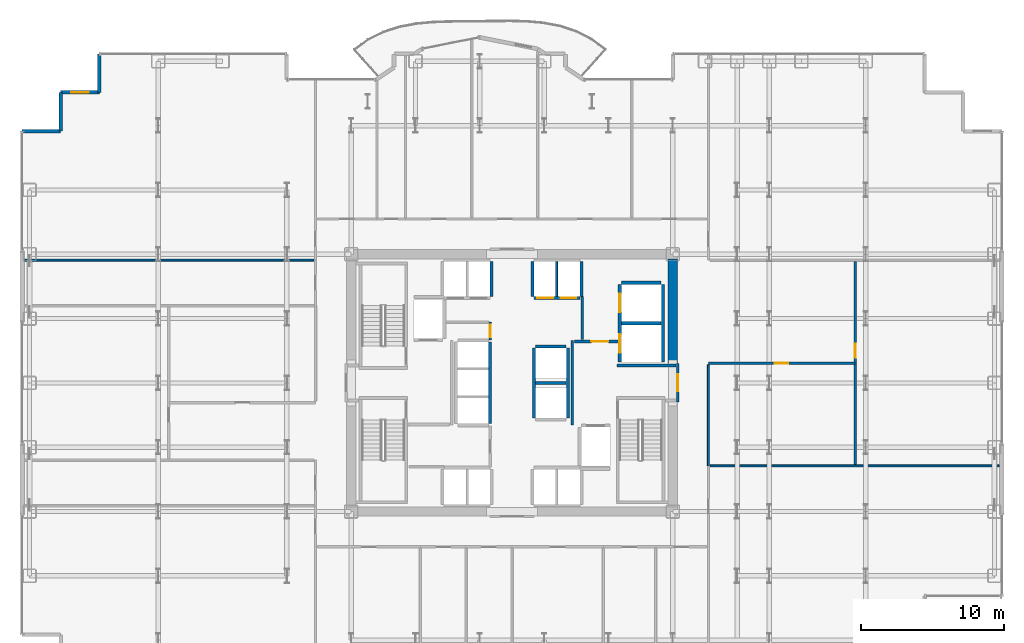
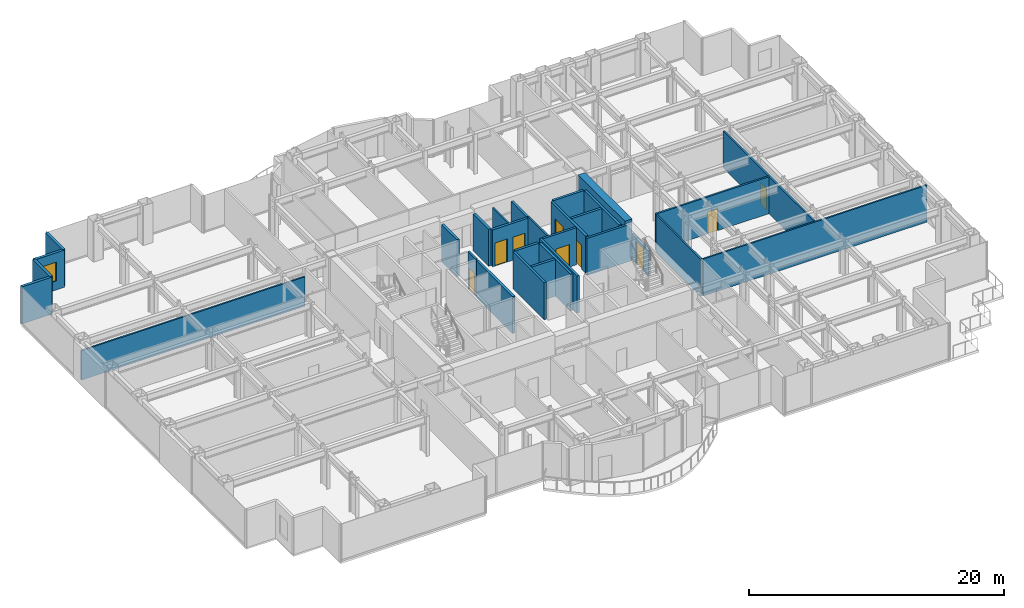
# One storey, part 25 of 29: 30 walls, 9 doors, 1 window, 10 openings.
"""IFC4 building model written with IfcOpenShell, lengths in metres."""

import ifcopenshell
import ifcopenshell.guid

model = None  # the IFC model being written
_history = None  # IfcOwnerHistory: only IFC2X3 demands one
_inside = {}  # id of a spatial element -> (the spatial element, [elements in it])
_under = {}  # id of a project, library or spatial element -> (it, [spatial elements below it])
_declared = {}  # id of a project -> (the project, [libraries it declares])
_typed = {}  # id of a type object -> (the type object, [elements of that type])
_made_of = {}  # id of a material, layer set ... -> (it, [elements and type objects made of it])


def new_model(schema):
    """Start an empty IFC model of exactly this schema.

    Asked for "IFC4X3", IfcOpenShell would pick the latest addendum, in which some entities
    have other attributes; the version numbers below select the first issue.
    IFC2X3 requires an IfcOwnerHistory on every rooted entity: one is made here for all.
    """
    global model, _history
    if schema == "IFC4X3":
        model = ifcopenshell.file(schema_version=(4, 3, 0, 0))
    else:
        model = ifcopenshell.file(schema=schema)
    _inside.clear()
    _under.clear()
    _declared.clear()
    _typed.clear()
    _made_of.clear()
    _history = None
    if model.schema == "IFC2X3":
        org = make("IfcOrganization", Name="unknown")
        user = make(
            "IfcPersonAndOrganization",
            ThePerson=make("IfcPerson", FamilyName="unknown"),
            TheOrganization=org,
        )
        app = make(
            "IfcApplication",
            ApplicationDeveloper=org,
            Version="unknown",
            ApplicationFullName="unknown",
            ApplicationIdentifier="unknown",
        )
        _history = make(
            "IfcOwnerHistory",
            OwningUser=user,
            OwningApplication=app,
            ChangeAction="ADDED",
            CreationDate=0,
        )
    return model


def make(cls, **values):
    """One entity of the class cls with the attributes given. An attribute that is None is left unset."""
    return model.create_entity(
        cls, **{name: value for name, value in values.items() if value is not None}
    )


def rooted(cls, **values):
    """An entity with a GlobalId (a new one), such as an element, a storey or a relation."""
    return make(cls, GlobalId=ifcopenshell.guid.new(), OwnerHistory=_history, **values)


def si_unit(unit_type, name, prefix=None):
    """IfcSIUnit, for example si_unit("LENGTHUNIT", "METRE", prefix="MILLI")."""
    return make("IfcSIUnit", UnitType=unit_type, Prefix=prefix, Name=name)


def assignment(units):
    """IfcUnitAssignment: the units of a project."""
    return None if units is None else make("IfcUnitAssignment", Units=units)


def point(xyz):
    """IfcCartesianPoint."""
    return None if xyz is None else make("IfcCartesianPoint", Coordinates=xyz)


def direction(xyz):
    """IfcDirection."""
    return None if xyz is None else make("IfcDirection", DirectionRatios=xyz)


def frame(location, z_axis=None, x_axis=None):
    """IfcAxis2Placement3D, a coordinate frame: its origin and axes. An axis left out is left unset."""
    return make(
        "IfcAxis2Placement3D",
        Location=point(location),
        Axis=direction(z_axis),
        RefDirection=direction(x_axis),
    )


def frame_2d(location, x_axis=None):
    """IfcAxis2Placement2D, a coordinate frame in the plane: its origin and x axis."""
    return make(
        "IfcAxis2Placement2D", Location=point(location), RefDirection=direction(x_axis)
    )


def origin():
    """The frame at (0, 0, 0) with its axes left unset."""
    return frame((0.0, 0.0, 0.0))


def place(relative_to, where):
    """IfcLocalPlacement: puts the frame where relative to a parent placement (None: the world)."""
    return make(
        "IfcLocalPlacement", PlacementRelTo=relative_to, RelativePlacement=where
    )


def context(
    kind, dimensions, precision=None, world=None, true_north=None, identifier=None
):
    """IfcGeometricRepresentationContext, for example the 3D "Model" context."""
    return make(
        "IfcGeometricRepresentationContext",
        ContextIdentifier=identifier,
        ContextType=kind,
        CoordinateSpaceDimension=dimensions,
        Precision=precision,
        WorldCoordinateSystem=world,
        TrueNorth=true_north,
    )


def subcontext(parent, identifier, kind, view, scale=None):
    """IfcGeometricRepresentationSubContext, for example "Body" below "Model"."""
    return make(
        "IfcGeometricRepresentationSubContext",
        ContextIdentifier=identifier,
        ContextType=kind,
        ParentContext=parent,
        TargetScale=scale,
        TargetView=view,
    )


def project(units=None, contexts=None):
    """IfcProject with its units and contexts."""
    return rooted(
        "IfcProject",
        Name="project",
        RepresentationContexts=contexts,
        UnitsInContext=assignment(units),
    )


def spatial(cls, under=None, at=None, **own):
    """A site, building, storey or space (cls), placed at a placement, below another one or the project."""
    s = rooted(cls, ObjectPlacement=at, **own)
    if under is not None:
        _under.setdefault(under.id(), (under, []))[1].append(s)
    return s


def profile(cls, at=None, kind="AREA", **sizes):
    """A parametric profile (cls). Its sizes go by their IFC names, for example OverallWidth=200.0."""
    return make(cls, ProfileType=kind, Position=at, **sizes)


def rectangle(**sizes):
    """IfcRectangleProfileDef."""
    return profile("IfcRectangleProfileDef", **sizes)


def extrude(swept, where, along, depth):
    """IfcExtrudedAreaSolid: the profile swept, set in the frame where, extruded along a direction by depth."""
    return make(
        "IfcExtrudedAreaSolid",
        SweptArea=swept,
        Position=where,
        ExtrudedDirection=direction(along),
        Depth=depth,
    )


def shape(context_of_items, identifier, shape_type, items):
    """IfcShapeRepresentation: the items that make up one representation, for example the "Body"."""
    return make(
        "IfcShapeRepresentation",
        ContextOfItems=context_of_items,
        RepresentationIdentifier=identifier,
        RepresentationType=shape_type,
        Items=items,
    )


def source(mapping_origin, context_of_items, identifier, shape_type, items):
    """IfcRepresentationMap: a shape defined once, which mapped items show again and again."""
    return make(
        "IfcRepresentationMap",
        MappingOrigin=mapping_origin,
        MappedRepresentation=shape(context_of_items, identifier, shape_type, items),
    )


def transform(
    local_origin,
    x_axis=None,
    y_axis=None,
    z_axis=None,
    scale=None,
    scale2=None,
    scale3=None,
    uniform=True,
):
    """IfcCartesianTransformationOperator3D, or its non-uniform kind. x_axis, y_axis, z_axis: its Axis1, 2, 3."""
    if uniform:
        return make(
            "IfcCartesianTransformationOperator3D",
            Axis1=direction(x_axis),
            Axis2=direction(y_axis),
            LocalOrigin=point(local_origin),
            Scale=scale,
            Axis3=direction(z_axis),
        )
    return make(
        "IfcCartesianTransformationOperator3DnonUniform",
        Axis1=direction(x_axis),
        Axis2=direction(y_axis),
        LocalOrigin=point(local_origin),
        Scale=scale,
        Axis3=direction(z_axis),
        Scale2=scale2,
        Scale3=scale3,
    )


def mapped(mapping_source, mapping_target):
    """IfcMappedItem: shows the shape of a source again, moved by a transform."""
    return make(
        "IfcMappedItem", MappingSource=mapping_source, MappingTarget=mapping_target
    )


def material(Name=None, Category=None):
    """IfcMaterial."""
    return make("IfcMaterial", Name=Name, Category=Category)


def layer(
    of_material, thickness, ventilated=None, Name=None, Category=None, Priority=None
):
    """IfcMaterialLayer: one layer of a wall or slab, of a material (None: an air gap)."""
    return make(
        "IfcMaterialLayer",
        Material=of_material,
        LayerThickness=thickness,
        IsVentilated=ventilated,
        Name=Name,
        Category=Category,
        Priority=Priority,
    )


def layer_set(layers, Name=None):
    """IfcMaterialLayerSet."""
    return make("IfcMaterialLayerSet", MaterialLayers=layers, LayerSetName=Name)


def made_of(thing, what):
    """Note that an element or type object is made of a material, layer set ...; save() writes the relation."""
    if what is not None:
        _made_of.setdefault(what.id(), (what, []))[1].append(thing)
    return thing


def type_object(cls, material=None, **own):
    """A type object (cls), such as IfcWallType, which elements share."""
    return made_of(rooted(cls, **own), material)


def element(
    cls,
    number,
    at=None,
    inside=None,
    cuts=None,
    type_object=None,
    material=None,
    context=None,
    identifier="Body",
    shape_type=None,
    held_by="IfcProductDefinitionShape",
    body=None,
    shapes=None,
    **own,
):
    """One element of the class cls, such as IfcWall. Its Tag is "e" and its number.

    at: its placement. inside: the storey or other place that contains it. cuts: it is an
    opening in that element (IfcRelVoidsElement). A single representation is given by context,
    identifier, shape_type and body (its items); several are given by shapes. held_by: the class
    of the entity that holds the representations. save() writes the other relations.
    """
    e = rooted(cls, Tag="e%d" % number, ObjectPlacement=at, **own)
    if body is not None:
        shapes = [shape(context, identifier, shape_type, body)]
    if shapes is not None:
        e.Representation = make(held_by, Representations=shapes)
    if inside is not None:
        _inside.setdefault(inside.id(), (inside, []))[1].append(e)
    if cuts is not None:
        rooted(
            "IfcRelVoidsElement", RelatingBuildingElement=cuts, RelatedOpeningElement=e
        )
    if type_object is not None:
        _typed.setdefault(type_object.id(), (type_object, []))[1].append(e)
    return made_of(e, material)


def fill(opening, filler):
    """IfcRelFillsElement: the door or window that sits in an opening."""
    return rooted(
        "IfcRelFillsElement",
        RelatingOpeningElement=opening,
        RelatedBuildingElement=filler,
    )


def aggregate(whole, parts):
    """IfcRelAggregates: a whole, such as a stair, and the parts it consists of."""
    return rooted("IfcRelAggregates", RelatingObject=whole, RelatedObjects=parts)


def save(model, path):
    """Write the relations noted so far, then the file.

    IfcRelAggregates (storeys below a building ...), IfcRelContainedInSpatialStructure (elements
    in a storey), IfcRelDefinesByType, IfcRelAssociatesMaterial and IfcRelDeclares: one each for
    every whole, place, type object, material and project.
    """
    for whole, parts in _under.values():
        aggregate(whole, parts)
    for where, things in _inside.values():
        rooted(
            "IfcRelContainedInSpatialStructure",
            RelatedElements=things,
            RelatingStructure=where,
        )
    for kind, things in _typed.values():
        rooted("IfcRelDefinesByType", RelatedObjects=things, RelatingType=kind)
    for what, things in _made_of.values():
        rooted("IfcRelAssociatesMaterial", RelatedObjects=things, RelatingMaterial=what)
    for by, libraries in _declared.values():
        rooted("IfcRelDeclares", RelatingContext=by, RelatedDefinitions=libraries)
    model.write(path)


model = new_model("IFC4")

# Units and contexts
model_context = context("Model", 3, precision=1e-05, world=origin(), true_north=direction((0.0, 1.0)))
body_context = subcontext(model_context, "Body", "Model", "MODEL_VIEW")
ifc_project = project(units=[si_unit("LENGTHUNIT", "METRE"), si_unit("AREAUNIT", "SQUARE_METRE"), si_unit("VOLUMEUNIT", "CUBIC_METRE"), si_unit("PLANEANGLEUNIT", "RADIAN"), si_unit("MASSUNIT", "GRAM", prefix="KILO")], contexts=[model_context])

# Site, building, storey
site_placement = place(None, origin())
site = spatial("IfcSite", under=ifc_project, at=site_placement, CompositionType="ELEMENT")
building_placement = place(site_placement, origin())
building = spatial("IfcBuilding", under=site, at=building_placement, Name="Nefas-Gora Pilgrimage Tower", CompositionType="ELEMENT")
storey_placement = place(building_placement, frame((0.0, 0.0, 67.199951171875)))
storey = spatial("IfcBuildingStorey", under=building, at=storey_placement, Name="L15", CompositionType="ELEMENT", Elevation=67.199951171875)

# Walls
ifc_material_1 = material(Name="Concrete C60/75", Category="concrete")
ifc_layer_1 = layer(ifc_material_1, 0.64990234375)
ifc_layer_set_1 = layer_set([ifc_layer_1], Name="Concrete C60/75")
wall_type_1 = type_object("IfcWallType", Name="SW-CORE-650", PredefinedType="SHEAR", material=ifc_layer_set_1)
shared_shape_1 = source(origin(), body_context, "Body", "SweptSolid", [
    extrude(rectangle(XDim=7.324951171875, YDim=0.64990234375, at=frame_2d((3.66259765625, 0.0))), origin(), (0.0, 0.0, 1.0), 3.800048828125),
])
wall_1_placement = place(storey_placement, frame((11.25, 1.35009765625, 0.0), z_axis=(0.0, 0.0, 1.0), x_axis=(0.0, 1.0, 0.0)))
element("IfcWall", 1, at=wall_1_placement, inside=storey, type_object=wall_type_1, Name="L15 Core Shear Wall E-North", PredefinedType="SHEAR", context=body_context, shape_type="MappedRepresentation", body=[
    mapped(shared_shape_1, transform((0.0, 0.0, 0.0), x_axis=(1.0, 0.0, 0.0), y_axis=(0.0, 1.0, 0.0), z_axis=(0.0, 0.0, 1.0), scale=1.0)),
])
ifc_material_2 = material(Name="Precast concrete C45/55", Category="concrete")
ifc_layer_2 = layer(ifc_material_2, 0.239990234375)
ifc_layer_set_2 = layer_set([ifc_layer_2], Name="Precast concrete C45/55")
wall_type_2 = type_object("IfcWallType", Name="EW-SERR-240", PredefinedType="SHEAR", material=ifc_layer_set_2)
shared_shape_2 = source(origin(), body_context, "Body", "SweptSolid", [
    extrude(rectangle(XDim=2.699951171875, YDim=0.239990234375, at=frame_2d((1.35009765625, 0.0))), origin(), (0.0, 0.0, 1.0), 3.550048828125),
])
wall_2_placement = place(storey_placement, frame((-28.8701171875, 23.02001953125, 0.0), z_axis=(0.0, 0.0, 1.0), x_axis=(0.0, -1.0, 0.0)))
element("IfcWall", 2, at=wall_2_placement, inside=storey, type_object=wall_type_2, Name="L15 Serrated Corner Shear Pier Wall 24", PredefinedType="SHEAR", context=body_context, shape_type="MappedRepresentation", body=[
    mapped(shared_shape_2, transform((0.0, 0.0, 0.0), x_axis=(1.0, 0.0, 0.0), y_axis=(0.0, 1.0, 0.0), z_axis=(0.0, 0.0, 1.0), scale=1.0)),
])

# Wall, opening, window
wall_3_placement = place(storey_placement, frame((-28.8701171875, 20.320068359375, 0.0), z_axis=(0.0, 0.0, 1.0), x_axis=(-1.0, 0.0, 0.0)))
wall_3 = element("IfcWall", 3, at=wall_3_placement, inside=storey, type_object=wall_type_2, Name="L15 Serrated Corner Shear Pier Wall 25", PredefinedType="SHEAR", context=body_context, shape_type="MappedRepresentation", body=[
    mapped(shared_shape_2, transform((0.0, 0.0, 0.0), x_axis=(1.0, 0.0, 0.0), y_axis=(0.0, 1.0, 0.0), z_axis=(0.0, 0.0, 1.0), scale=1.0)),
])
opening_1_placement = place(wall_3_placement, frame((0.75, 0.0, 0.85009765625)))
opening_1 = element("IfcOpeningElement", 4, at=opening_1_placement, cuts=wall_3, Name="Opening W-V1", PredefinedType="OPENING", context=body_context, shape_type="SweptSolid", body=[
    extrude(rectangle(XDim=1.199951171875, YDim=1.800048828125, at=frame_2d((0.60009765625, 0.89990234375))), frame((0.0, 0.1298828125, 0.0), z_axis=(0.0, -1.0, 0.0), x_axis=(1.0, 0.0, 0.0)), (0.0, 0.0, 1.0), 0.260009765625),
])
ifc_material_3 = material(Name="Dark ceramic-fritted operable aluminium-glass window", Category="aluminium")
window_type = type_object("IfcWindowType", Name="WIN-VENT-1200x1800", PartitioningType="SINGLE_PANEL", PredefinedType="WINDOW", material=ifc_material_3)
shared_shape_3 = source(origin(), body_context, "Body", "SweptSolid", [
    extrude(rectangle(XDim=1.199951171875, YDim=1.800048828125, at=frame_2d((0.60009765625, 0.89990234375))), frame((0.0, 0.030029296875, 0.0), z_axis=(0.0, -1.0, 0.0), x_axis=(1.0, 0.0, 0.0)), (0.0, 0.0, 1.0), 0.06005859375),
])
window_placement = place(opening_1_placement, origin())
window = element("IfcWindow", 5, at=window_placement, inside=storey, type_object=window_type, Name="L15 Operable Parallel-Outswing Window 25", OverallHeight=1.800048828125, OverallWidth=1.199951171875, PartitioningType="SINGLE_PANEL", PredefinedType="WINDOW", context=body_context, shape_type="MappedRepresentation", body=[
    mapped(shared_shape_3, transform((0.0, 0.0, 0.0), x_axis=(1.0, 0.0, 0.0), y_axis=(0.0, 1.0, 0.0), z_axis=(0.0, 0.0, 1.0), scale=1.0)),
])
fill(opening_1, window)

# Walls
for number, where, z_axis, x_axis, name in (
    (6, (-31.570068359375, 20.320068359375, 0.0), (0.0, 0.0, 1.0), (0.0, -1.0, 0.0), "L15 Serrated Corner Shear Pier Wall 26"),
    (7, (-31.570068359375, 17.6201171875, 0.0), (0.0, 0.0, 1.0), (-1.0, 0.0, 0.0), "L15 Serrated Corner Shear Pier Wall 27"),
):
    element("IfcWall", number, at=place(storey_placement, frame(where, z_axis=z_axis, x_axis=x_axis)), inside=storey, type_object=wall_type_2, Name=name, PredefinedType="SHEAR", context=body_context, shape_type="MappedRepresentation", body=[
        mapped(shared_shape_2, transform((0.0, 0.0, 0.0), x_axis=(1.0, 0.0, 0.0), y_axis=(0.0, 1.0, 0.0), z_axis=(0.0, 0.0, 1.0), scale=1.0)),
    ])

# Wall, openings, doors
ifc_material_4 = material(Name="Concrete C40/50", Category="concrete")
ifc_layer_3 = layer(ifc_material_4, 0.219970703125)
ifc_layer_set_3 = layer_set([ifc_layer_3], Name="Concrete C40/50")
wall_type_3 = type_object("IfcWallType", Name="IW-SHAFT-220", PredefinedType="SOLIDWALL", material=ifc_layer_set_3)
shared_shape_4 = source(origin(), body_context, "Body", "SweptSolid", [
    extrude(rectangle(XDim=5.449951171875, YDim=0.219970703125, at=frame_2d((2.72509765625, 0.0))), origin(), (0.0, 0.0, 1.0), 3.53515625),
])
wall_4_placement = place(storey_placement, frame((7.5400390625, 6.89990234375, 0.0), z_axis=(0.0, 0.0, 1.0), x_axis=(0.0, -1.0, 0.0)))
wall_4 = element("IfcWall", 8, at=wall_4_placement, inside=storey, type_object=wall_type_3, Name="L15 Hoistway Wall SL-01-02-W", PredefinedType="SOLIDWALL", context=body_context, shape_type="MappedRepresentation", body=[
    mapped(shared_shape_4, transform((0.0, 0.0, 0.0), x_axis=(1.0, 0.0, 0.0), y_axis=(0.0, 1.0, 0.0), z_axis=(0.0, 0.0, 1.0), scale=1.0)),
])
opening_2_placement = place(wall_4_placement, frame((3.5, 0.0, 0.0)))
opening_2 = element("IfcOpeningElement", 9, at=opening_2_placement, cuts=wall_4, Name="Opening LD-SV", PredefinedType="OPENING", context=body_context, shape_type="SweptSolid", body=[
    extrude(rectangle(XDim=1.300048828125, YDim=2.300048828125, at=frame_2d((0.64990234375, 1.14990234375))), frame((0.0, 0.119873046875, 0.0), z_axis=(0.0, -1.0, 0.0), x_axis=(1.0, 0.0, 0.0)), (0.0, 0.0, 1.0), 0.239990234375),
])
opening_3_placement = place(wall_4_placement, frame((0.64990234375, 0.0, 0.0)))
opening_3 = element("IfcOpeningElement", 10, at=opening_3_placement, cuts=wall_4, Name="Opening LD-SV", PredefinedType="OPENING", context=body_context, shape_type="SweptSolid", body=[
    extrude(rectangle(XDim=1.300048828125, YDim=2.300048828125, at=frame_2d((0.64990234375, 1.14990234375))), frame((0.0, 0.119873046875, 0.0), z_axis=(0.0, -1.0, 0.0), x_axis=(1.0, 0.0, 0.0)), (0.0, 0.0, 1.0), 0.239990234375),
])
ifc_material_5 = material(Name="Heavy goods sliding lift landing door")
door_type_1 = type_object("IfcDoorType", Name="DR-LIFT-SERV-1300", OperationType="SLIDING_TO_RIGHT", PredefinedType="DOOR", material=ifc_material_5)
shared_shape_5 = source(origin(), body_context, "Body", "SweptSolid", [
    extrude(rectangle(XDim=1.300048828125, YDim=2.300048828125, at=frame_2d((0.64990234375, 1.14990234375))), frame((0.0, 0.02490234375, 0.0), z_axis=(0.0, -1.0, 0.0), x_axis=(1.0, 0.0, 0.0)), (0.0, 0.0, 1.0), 0.050048828125),
])
door_1_placement = place(opening_2_placement, origin())
door_1 = element("IfcDoor", 11, at=door_1_placement, inside=storey, type_object=door_type_1, Name="L15 Sliding Lift Landing Door SL-01", OperationType="SLIDING_TO_RIGHT", OverallHeight=2.300048828125, OverallWidth=1.300048828125, PredefinedType="DOOR", context=body_context, shape_type="MappedRepresentation", body=[
    mapped(shared_shape_5, transform((0.0, 0.0, 0.0), x_axis=(1.0, 0.0, 0.0), y_axis=(0.0, 1.0, 0.0), z_axis=(0.0, 0.0, 1.0), scale=1.0)),
])
fill(opening_2, door_1)
door_2_placement = place(opening_3_placement, origin())
door_2 = element("IfcDoor", 12, at=door_2_placement, inside=storey, type_object=door_type_1, Name="L15 Sliding Lift Landing Door SL-02", OperationType="SLIDING_TO_RIGHT", OverallHeight=2.300048828125, OverallWidth=1.300048828125, PredefinedType="DOOR", context=body_context, shape_type="MappedRepresentation", body=[
    mapped(shared_shape_5, transform((0.0, 0.0, 0.0), x_axis=(1.0, 0.0, 0.0), y_axis=(0.0, 1.0, 0.0), z_axis=(0.0, 0.0, 1.0), scale=1.0)),
])
fill(opening_3, door_2)

# Walls
wall_5_placement = place(storey_placement, frame((10.56005859375, 1.449951171875, 0.0), z_axis=(0.0, 0.0, 1.0), x_axis=(0.0, 1.0, 0.0)))
element("IfcWall", 13, at=wall_5_placement, inside=storey, type_object=wall_type_3, Name="L15 Hoistway Wall SL-01-02-E", PredefinedType="SOLIDWALL", context=body_context, shape_type="MappedRepresentation", body=[
    mapped(shared_shape_4, transform((0.0, 0.0, 0.0), x_axis=(1.0, 0.0, 0.0), y_axis=(0.0, 1.0, 0.0), z_axis=(0.0, 0.0, 1.0), scale=1.0)),
])
shared_shape_6 = source(origin(), body_context, "Body", "SweptSolid", [
    extrude(rectangle(XDim=2.780029296875, YDim=0.219970703125, at=frame_2d((1.39013671875, 0.0))), origin(), (0.0, 0.0, 1.0), 3.53515625),
])
for number, where, z_axis, x_axis, name in (
    (14, (7.659912109375, 4.175048828125, 0.0), (0.0, 0.0, 1.0), (1.0, 0.0, 0.0), "L15 Hoistway Wall SL-01-02-DIV"),
    (15, (10.43994140625, 7.010009765625, 0.0), (0.0, 0.0, 1.0), (-1.0, 0.0, 0.0), "L15 Hoistway Wall SL-02-N"),
):
    element("IfcWall", number, at=place(storey_placement, frame(where, z_axis=z_axis, x_axis=x_axis)), inside=storey, type_object=wall_type_3, Name=name, PredefinedType="SOLIDWALL", context=body_context, shape_type="MappedRepresentation", body=[
        mapped(shared_shape_6, transform((0.0, 0.0, 0.0), x_axis=(1.0, 0.0, 0.0), y_axis=(0.0, 1.0, 0.0), z_axis=(0.0, 0.0, 1.0), scale=1.0)),
    ])

# Wall, openings, doors
shared_shape_7 = source(origin(), body_context, "Body", "SweptSolid", [
    extrude(rectangle(XDim=3.199951171875, YDim=0.219970703125, at=frame_2d((1.60009765625, 0.0))), origin(), (0.0, 0.0, 1.0), 3.53515625),
])
wall_6_placement = place(storey_placement, frame((1.550048828125, 5.93994140625, 0.0), z_axis=(0.0, 0.0, 1.0), x_axis=(1.0, 0.0, 0.0)))
wall_6 = element("IfcWall", 16, at=wall_6_placement, inside=storey, type_object=wall_type_3, Name="L15 Hoistway Wall PL1-E-S", PredefinedType="SOLIDWALL", context=body_context, shape_type="MappedRepresentation", body=[
    mapped(shared_shape_7, transform((0.0, 0.0, 0.0), x_axis=(1.0, 0.0, 0.0), y_axis=(0.0, 1.0, 0.0), z_axis=(0.0, 0.0, 1.0), scale=1.0)),
])
opening_4_placement = place(wall_6_placement, frame((0.22509765625, 0.0, 0.0)))
opening_4 = element("IfcOpeningElement", 17, at=opening_4_placement, cuts=wall_6, Name="Opening LD-01", PredefinedType="OPENING", context=body_context, shape_type="SweptSolid", body=[
    extrude(rectangle(XDim=1.10009765625, YDim=2.199951171875, at=frame_2d((0.550048828125, 1.10009765625))), frame((0.0, 0.119873046875, 0.0), z_axis=(0.0, -1.0, 0.0), x_axis=(1.0, 0.0, 0.0)), (0.0, 0.0, 1.0), 0.239990234375),
])
opening_5_placement = place(wall_6_placement, frame((1.85009765625, 0.0, 0.0)))
opening_5 = element("IfcOpeningElement", 18, at=opening_5_placement, cuts=wall_6, Name="Opening LD-01", PredefinedType="OPENING", context=body_context, shape_type="SweptSolid", body=[
    extrude(rectangle(XDim=1.10009765625, YDim=2.199951171875, at=frame_2d((0.550048828125, 1.10009765625))), frame((0.0, 0.119873046875, 0.0), z_axis=(0.0, -1.0, 0.0), x_axis=(1.0, 0.0, 0.0)), (0.0, 0.0, 1.0), 0.239990234375),
])
ifc_material_6 = material(Name="Brushed stainless sliding lift landing door")
door_type_2 = type_object("IfcDoorType", Name="DR-LIFT-PASS-1100", OperationType="DOUBLE_DOOR_SLIDING", PredefinedType="DOOR", material=ifc_material_6)
shared_shape_8 = source(origin(), body_context, "Body", "SweptSolid", [
    extrude(rectangle(XDim=1.10009765625, YDim=2.199951171875, at=frame_2d((0.550048828125, 1.10009765625))), frame((0.0, 0.02490234375, 0.0), z_axis=(0.0, -1.0, 0.0), x_axis=(1.0, 0.0, 0.0)), (0.0, 0.0, 1.0), 0.050048828125),
])
door_3_placement = place(opening_4_placement, origin())
door_3 = element("IfcDoor", 19, at=door_3_placement, inside=storey, type_object=door_type_2, Name="L15 Sliding Lift Landing Door PL1-03", OperationType="DOUBLE_DOOR_SLIDING", OverallHeight=2.199951171875, OverallWidth=1.10009765625, PredefinedType="DOOR", context=body_context, shape_type="MappedRepresentation", body=[
    mapped(shared_shape_8, transform((0.0, 0.0, 0.0), x_axis=(1.0, 0.0, 0.0), y_axis=(0.0, 1.0, 0.0), z_axis=(0.0, 0.0, 1.0), scale=1.0)),
])
fill(opening_4, door_3)
door_4_placement = place(opening_5_placement, origin())
door_4 = element("IfcDoor", 20, at=door_4_placement, inside=storey, type_object=door_type_2, Name="L15 Sliding Lift Landing Door PL1-04", OperationType="DOUBLE_DOOR_SLIDING", OverallHeight=2.199951171875, OverallWidth=1.10009765625, PredefinedType="DOOR", context=body_context, shape_type="MappedRepresentation", body=[
    mapped(shared_shape_8, transform((0.0, 0.0, 0.0), x_axis=(1.0, 0.0, 0.0), y_axis=(0.0, 1.0, 0.0), z_axis=(0.0, 0.0, 1.0), scale=1.0)),
])
fill(opening_5, door_4)

# Walls
shared_shape_9 = source(origin(), body_context, "Body", "SweptSolid", [
    extrude(rectangle(XDim=2.429931640625, YDim=0.219970703125, at=frame_2d((1.21484375, 0.0))), origin(), (0.0, 0.0, 1.0), 3.53515625),
])
for number, where, z_axis, x_axis, name in (
    (21, (-1.43994140625, 6.06005859375, 0.0), (0.0, 0.0, 1.0), (0.0, 1.0, 0.0), "L15 Hoistway Wall PL1-W-E"),
    (22, (1.43994140625, 8.489990234375, 0.0), (0.0, 0.0, 1.0), (0.0, -1.0, 0.0), "L15 Hoistway Wall PL1-E-W"),
    (23, (4.860107421875, 6.06005859375, 0.0), (0.0, 0.0, 1.0), (0.0, 1.0, 0.0), "L15 Hoistway Wall PL1-E-E"),
):
    element("IfcWall", number, at=place(storey_placement, frame(where, z_axis=z_axis, x_axis=x_axis)), inside=storey, type_object=wall_type_3, Name=name, PredefinedType="SOLIDWALL", context=body_context, shape_type="MappedRepresentation", body=[
        mapped(shared_shape_9, transform((0.0, 0.0, 0.0), x_axis=(1.0, 0.0, 0.0), y_axis=(0.0, 1.0, 0.0), z_axis=(0.0, 0.0, 1.0), scale=1.0)),
    ])
ifc_material_7 = material(Name="Gypsum twin-stud partition")
ifc_layer_4 = layer(ifc_material_7, 0.139892578125)
ifc_layer_set_4 = layer_set([ifc_layer_4], Name="Gypsum twin-stud partition")
wall_type_4 = type_object("IfcWallType", Name="IW-UNIT-140", PredefinedType="PARTITIONING", material=ifc_layer_set_4)
shared_shape_10 = source(origin(), body_context, "Body", "SweptSolid", [
    extrude(rectangle(XDim=2.429931640625, YDim=0.139892578125, at=frame_2d((1.21484375, 0.0))), origin(), (0.0, 0.0, 1.0), 3.53515625),
])
wall_7_placement = place(storey_placement, frame((3.125, 6.06005859375, 0.0), z_axis=(0.0, 0.0, 1.0), x_axis=(0.0, 1.0, 0.0)))
element("IfcWall", 24, at=wall_7_placement, inside=storey, type_object=wall_type_4, Name="L15 Hoistway Wall PL1-E-DIV", PredefinedType="PARTITIONING", context=body_context, shape_type="MappedRepresentation", body=[
    mapped(shared_shape_10, transform((0.0, 0.0, 0.0), x_axis=(1.0, 0.0, 0.0), y_axis=(0.0, 1.0, 0.0), z_axis=(0.0, 0.0, 1.0), scale=1.0)),
])
shared_shape_11 = source(origin(), body_context, "Body", "SweptSolid", [
    extrude(rectangle(XDim=5.7001953125, YDim=0.219970703125, at=frame_2d((2.85009765625, 0.0))), origin(), (0.0, 0.0, 1.0), 3.53515625),
])
wall_8_placement = place(storey_placement, frame((-1.5400390625, -2.85009765625, 0.0), z_axis=(0.0, 0.0, 1.0), x_axis=(0.0, 1.0, 0.0)))
element("IfcWall", 25, at=wall_8_placement, inside=storey, type_object=wall_type_3, Name="L15 Hoistway Wall PL3-01-03-E", PredefinedType="SOLIDWALL", context=body_context, shape_type="MappedRepresentation", body=[
    mapped(shared_shape_11, transform((0.0, 0.0, 0.0), x_axis=(1.0, 0.0, 0.0), y_axis=(0.0, 1.0, 0.0), z_axis=(0.0, 0.0, 1.0), scale=1.0)),
])
shared_shape_12 = source(origin(), body_context, "Body", "SweptSolid", [
    extrude(rectangle(XDim=2.130126953125, YDim=0.219970703125, at=frame_2d((1.06494140625, 0.0))), origin(), (0.0, 0.0, 1.0), 3.53515625),
])
for number, where, z_axis, x_axis, name in (
    (26, (1.659912109375, 0.0, 0.0), (0.0, 0.0, 1.0), (1.0, 0.0, 0.0), "L15 Hoistway Wall OBS-01-02-DIV"),
    (27, (3.7900390625, 2.56005859375, 0.0), (0.0, 0.0, 1.0), (-1.0, 0.0, 0.0), "L15 Hoistway Wall OBS-02-N"),
):
    element("IfcWall", number, at=place(storey_placement, frame(where, z_axis=z_axis, x_axis=x_axis)), inside=storey, type_object=wall_type_3, Name=name, PredefinedType="SOLIDWALL", context=body_context, shape_type="MappedRepresentation", body=[
        mapped(shared_shape_12, transform((0.0, 0.0, 0.0), x_axis=(1.0, 0.0, 0.0), y_axis=(0.0, 1.0, 0.0), z_axis=(0.0, 0.0, 1.0), scale=1.0)),
    ])
shared_shape_13 = source(origin(), body_context, "Body", "SweptSolid", [
    extrude(rectangle(XDim=4.89990234375, YDim=0.219970703125, at=frame_2d((2.449951171875, 0.0))), origin(), (0.0, 0.0, 1.0), 3.53515625),
])
for number, where, z_axis, x_axis, name in (
    (28, (1.5400390625, 2.449951171875, 0.0), (0.0, 0.0, 1.0), (0.0, -1.0, 0.0), "L15 Hoistway Wall OBS-01-02-W"),
    (29, (3.909912109375, -2.449951171875, 0.0), (0.0, 0.0, 1.0), (0.0, 1.0, 0.0), "L15 Hoistway Wall OBS-01-02-E"),
):
    element("IfcWall", number, at=place(storey_placement, frame(where, z_axis=z_axis, x_axis=x_axis)), inside=storey, type_object=wall_type_3, Name=name, PredefinedType="SOLIDWALL", context=body_context, shape_type="MappedRepresentation", body=[
        mapped(shared_shape_13, transform((0.0, 0.0, 0.0), x_axis=(1.0, 0.0, 0.0), y_axis=(0.0, 1.0, 0.0), z_axis=(0.0, 0.0, 1.0), scale=1.0)),
    ])

# Wall, opening, door
ifc_material_8 = material(Name="Gypsum fire-rated shaftwall")
ifc_layer_5 = layer(ifc_material_8, 0.199951171875)
ifc_layer_set_5 = layer_set([ifc_layer_5], Name="Gypsum fire-rated shaftwall")
wall_type_5 = type_object("IfcWallType", Name="IW-FFLOB-200", PredefinedType="PARTITIONING", material=ifc_layer_set_5)
shared_shape_14 = source(origin(), body_context, "Body", "SweptSolid", [
    extrude(rectangle(XDim=2.7001953125, YDim=0.199951171875, at=frame_2d((1.35009765625, 0.0))), origin(), (0.0, 0.0, 1.0), 2.425048828125),
])
wall_9_placement = place(storey_placement, frame((11.60009765625, -1.35009765625, 0.0), z_axis=(0.0, 0.0, 1.0), x_axis=(0.0, 1.0, 0.0)))
wall_9 = element("IfcWall", 30, at=wall_9_placement, inside=storey, type_object=wall_type_5, Name="L15 FF Lobby East Portal Wall 8", PredefinedType="PARTITIONING", context=body_context, shape_type="MappedRepresentation", body=[
    mapped(shared_shape_14, transform((0.0, 0.0, 0.0), x_axis=(1.0, 0.0, 0.0), y_axis=(0.0, 1.0, 0.0), z_axis=(0.0, 0.0, 1.0), scale=1.0)),
])
opening_6_placement = place(wall_9_placement, frame((0.75, 0.0, 0.0)))
opening_6 = element("IfcOpeningElement", 31, at=opening_6_placement, cuts=wall_9, Name="Opening ID-FF1", PredefinedType="OPENING", context=body_context, shape_type="SweptSolid", body=[
    extrude(rectangle(XDim=1.199951171875, YDim=2.14990234375, at=frame_2d((0.60009765625, 1.074951171875))), frame((0.0, 0.10986328125, 0.0), z_axis=(0.0, -1.0, 0.0), x_axis=(1.0, 0.0, 0.0)), (0.0, 0.0, 1.0), 0.219970703125),
])
ifc_material_9 = material(Name="Smoke-sealed steel firefighting lobby door", Category="steel")
door_type_3 = type_object("IfcDoorType", Name="DR-INT-FFLOB-1200", OperationType="NOTDEFINED", PredefinedType="DOOR", material=ifc_material_9)
shared_shape_15 = source(origin(), body_context, "Body", "SweptSolid", [
    extrude(rectangle(XDim=1.199951171875, YDim=2.14990234375, at=frame_2d((0.60009765625, 1.074951171875))), frame((0.0, 0.02490234375, 0.0), z_axis=(0.0, -1.0, 0.0), x_axis=(1.0, 0.0, 0.0)), (0.0, 0.0, 1.0), 0.050048828125),
])
door_5_placement = place(opening_6_placement, origin())
door_5 = element("IfcDoor", 32, at=door_5_placement, inside=storey, type_object=door_type_3, Name="L15 FF Lobby East Portal Door 2", OperationType="SINGLE_SWING_RIGHT", OverallHeight=2.14990234375, OverallWidth=1.199951171875, PredefinedType="DOOR", context=body_context, shape_type="MappedRepresentation", body=[
    mapped(shared_shape_15, transform((0.0, 0.0, 0.0), x_axis=(1.0, 0.0, 0.0), y_axis=(0.0, 1.0, 0.0), z_axis=(0.0, 0.0, 1.0), scale=1.0)),
])
fill(opening_6, door_5)

# Walls
shared_shape_16 = source(origin(), body_context, "Body", "SweptSolid", [
    extrude(rectangle(XDim=20.219970703125, YDim=0.139892578125, at=frame_2d((10.10986328125, 0.0))), origin(), (0.0, 0.0, 1.0), 2.824951171875),
])
wall_10_placement = place(storey_placement, frame((-34.080078125, 8.594970703125, 0.0), z_axis=(0.0, 0.0, 1.0), x_axis=(1.0, 0.0, 0.0)))
element("IfcWall", 33, at=wall_10_placement, inside=storey, type_object=wall_type_4, Name="L15 Pilgrim Fellowship Seminar Room Partition Wall 32", PredefinedType="PARTITIONING", context=body_context, shape_type="MappedRepresentation", body=[
    mapped(shared_shape_16, transform((0.0, 0.0, 0.0), x_axis=(1.0, 0.0, 0.0), y_axis=(0.0, 1.0, 0.0), z_axis=(0.0, 0.0, 1.0), scale=1.0)),
])
shared_shape_17 = source(origin(), body_context, "Body", "SweptSolid", [
    extrude(rectangle(XDim=5.89990234375, YDim=0.199951171875, at=frame_2d((2.949951171875, 0.0))), origin(), (0.0, 0.0, 1.0), 3.53515625),
])
wall_11_placement = place(storey_placement, frame((4.219970703125, -2.949951171875, 0.0), z_axis=(0.0, 0.0, 1.0), x_axis=(0.0, 1.0, 0.0)))
element("IfcWall", 34, at=wall_11_placement, inside=storey, type_object=wall_type_5, Name="L15 FF Lobby East Inner Wall Wall 9", PredefinedType="PARTITIONING", context=body_context, shape_type="MappedRepresentation", body=[
    mapped(shared_shape_17, transform((0.0, 0.0, 0.0), x_axis=(1.0, 0.0, 0.0), y_axis=(0.0, 1.0, 0.0), z_axis=(0.0, 0.0, 1.0), scale=1.0)),
])

# Wall, opening, door
shared_shape_18 = source(origin(), body_context, "Body", "SweptSolid", [
    extrude(rectangle(XDim=3.039794921875, YDim=0.199951171875, at=frame_2d((1.52001953125, 0.0))), origin(), (0.0, 0.0, 1.0), 3.53515625),
])
wall_12_placement = place(storey_placement, frame((4.360107421875, 2.89990234375, 0.0), z_axis=(0.0, 0.0, 1.0), x_axis=(1.0, 0.0, 0.0)))
wall_12 = element("IfcWall", 35, at=wall_12_placement, inside=storey, type_object=wall_type_5, Name="L15 FF Lobby East North Wall Wall 10", PredefinedType="PARTITIONING", context=body_context, shape_type="MappedRepresentation", body=[
    mapped(shared_shape_18, transform((0.0, 0.0, 0.0), x_axis=(1.0, 0.0, 0.0), y_axis=(0.0, 1.0, 0.0), z_axis=(0.0, 0.0, 1.0), scale=1.0)),
])
opening_7_placement = place(wall_12_placement, frame((1.18994140625, 0.0, 0.0)))
opening_7 = element("IfcOpeningElement", 36, at=opening_7_placement, cuts=wall_12, Name="Opening ID-PL1", PredefinedType="OPENING", context=body_context, shape_type="SweptSolid", body=[
    extrude(rectangle(XDim=1.199951171875, YDim=2.14990234375, at=frame_2d((0.60009765625, 1.074951171875))), frame((0.0, 0.10986328125, 0.0), z_axis=(0.0, -1.0, 0.0), x_axis=(1.0, 0.0, 0.0)), (0.0, 0.0, 1.0), 0.219970703125),
])
ifc_material_10 = material(Name="Heavy-duty steel plant room fire door", Category="steel")
door_type_4 = type_object("IfcDoorType", Name="DR-INT-PLANT-1200", OperationType="NOTDEFINED", PredefinedType="DOOR", material=ifc_material_10)
door_6_placement = place(opening_7_placement, origin())
door_6 = element("IfcDoor", 37, at=door_6_placement, inside=storey, type_object=door_type_4, Name="L15 Service Lift Lobby Door Door 3", OperationType="SINGLE_SWING_LEFT", OverallHeight=2.14990234375, OverallWidth=1.199951171875, PredefinedType="DOOR", context=body_context, shape_type="MappedRepresentation", body=[
    mapped(shared_shape_15, transform((0.0, 0.0, 0.0), x_axis=(1.0, 0.0, 0.0), y_axis=(0.0, 1.0, 0.0), z_axis=(0.0, 0.0, 1.0), scale=1.0)),
])
fill(opening_7, door_6)

# Walls
shared_shape_19 = source(origin(), body_context, "Body", "SweptSolid", [
    extrude(rectangle(XDim=4.10986328125, YDim=0.199951171875, at=frame_2d((2.054931640625, 0.0))), origin(), (0.0, 0.0, 1.0), 3.53515625),
])
wall_13_placement = place(storey_placement, frame((7.35009765625, 1.219970703125, 0.0), z_axis=(0.0, 0.0, 1.0), x_axis=(1.0, 0.0, 0.0)))
element("IfcWall", 38, at=wall_13_placement, inside=storey, type_object=wall_type_5, Name="L15 FF Lobby East Throat N Wall 11", PredefinedType="PARTITIONING", context=body_context, shape_type="MappedRepresentation", body=[
    mapped(shared_shape_19, transform((0.0, 0.0, 0.0), x_axis=(1.0, 0.0, 0.0), y_axis=(0.0, 1.0, 0.0), z_axis=(0.0, 0.0, 1.0), scale=1.0)),
])
ifc_material_11 = material(Name="Gypsum acoustic stud partition")
ifc_layer_6 = layer(ifc_material_11, 0.159912109375)
ifc_layer_set_6 = layer_set([ifc_layer_6], Name="Gypsum acoustic stud partition")
wall_type_6 = type_object("IfcWallType", Name="IW-CORR-160", PredefinedType="PARTITIONING", material=ifc_layer_set_6)
shared_shape_20 = source(origin(), body_context, "Body", "SweptSolid", [
    extrude(rectangle(XDim=3.014892578125, YDim=0.159912109375, at=frame_2d((1.50732421875, 0.0))), origin(), (0.0, 0.0, 1.0), 3.53515625),
])
wall_14_placement = place(storey_placement, frame((4.919921875, 3.0400390625, 0.0), z_axis=(0.0, 0.0, 1.0), x_axis=(0.0, 1.0, 0.0)))
element("IfcWall", 39, at=wall_14_placement, inside=storey, type_object=wall_type_6, Name="L15 Service Lift Lobby West Wall Wall 15", PredefinedType="PARTITIONING", context=body_context, shape_type="MappedRepresentation", body=[
    mapped(shared_shape_20, transform((0.0, 0.0, 0.0), x_axis=(1.0, 0.0, 0.0), y_axis=(0.0, 1.0, 0.0), z_axis=(0.0, 0.0, 1.0), scale=1.0)),
])
shared_shape_21 = source(origin(), body_context, "Body", "SweptSolid", [
    extrude(rectangle(XDim=20.219970703125, YDim=0.139892578125, at=frame_2d((10.10986328125, 0.0))), origin(), (0.0, 0.0, 1.0), 3.53515625),
])
wall_15_placement = place(storey_placement, frame((13.860107421875, -5.804931640625, 0.0), z_axis=(0.0, 0.0, 1.0), x_axis=(1.0, 0.0, 0.0)))
element("IfcWall", 40, at=wall_15_placement, inside=storey, type_object=wall_type_4, Name="L15 Pilgrim Contemplative Lounge Partition Wall 35", PredefinedType="PARTITIONING", context=body_context, shape_type="MappedRepresentation", body=[
    mapped(shared_shape_21, transform((0.0, 0.0, 0.0), x_axis=(1.0, 0.0, 0.0), y_axis=(0.0, 1.0, 0.0), z_axis=(0.0, 0.0, 1.0), scale=1.0)),
])

# Wall, opening, door
shared_shape_22 = source(origin(), body_context, "Body", "SweptSolid", [
    extrude(rectangle(XDim=10.25, YDim=0.159912109375, at=frame_2d((5.125, 0.0))), origin(), (0.0, 0.0, 1.0), 3.53515625),
])
wall_16_placement = place(storey_placement, frame((13.72998046875, 1.3798828125, 0.0), z_axis=(0.0, 0.0, 1.0), x_axis=(1.0, 0.0, 0.0)))
wall_16 = element("IfcWall", 41, at=wall_16_placement, inside=storey, type_object=wall_type_6, Name="L15 Pilgrim Contemplative Lounge Partition Wall 38", PredefinedType="PARTITIONING", context=body_context, shape_type="MappedRepresentation", body=[
    mapped(shared_shape_22, transform((0.0, 0.0, 0.0), x_axis=(1.0, 0.0, 0.0), y_axis=(0.0, 1.0, 0.0), z_axis=(0.0, 0.0, 1.0), scale=1.0)),
])
opening_8_placement = place(wall_16_placement, frame((4.64990234375, 0.0, 0.0)))
opening_8 = element("IfcOpeningElement", 42, at=opening_8_placement, cuts=wall_16, Name="Opening ID-GR1", PredefinedType="OPENING", context=body_context, shape_type="SweptSolid", body=[
    extrude(rectangle(XDim=0.949951171875, YDim=2.10009765625, at=frame_2d((0.47509765625, 1.050048828125))), frame((0.0, 0.08984375, 0.0), z_axis=(0.0, -1.0, 0.0), x_axis=(1.0, 0.0, 0.0)), (0.0, 0.0, 1.0), 0.179931640625),
])
ifc_material_12 = material(Name="Solid core oak fire-rated guest entrance door")
door_type_5 = type_object("IfcDoorType", Name="DR-INT-GUEST-950", OperationType="NOTDEFINED", PredefinedType="DOOR", material=ifc_material_12)
shared_shape_23 = source(origin(), body_context, "Body", "SweptSolid", [
    extrude(rectangle(XDim=0.949951171875, YDim=2.10009765625, at=frame_2d((0.47509765625, 1.050048828125))), frame((0.0, 0.02490234375, 0.0), z_axis=(0.0, -1.0, 0.0), x_axis=(1.0, 0.0, 0.0)), (0.0, 0.0, 1.0), 0.050048828125),
])
door_7_placement = place(opening_8_placement, origin())
door_7 = element("IfcDoor", 43, at=door_7_placement, inside=storey, type_object=door_type_5, Name="L15 Pilgrim Contemplative Lounge Door 17", OperationType="SINGLE_SWING_LEFT", OverallHeight=2.10009765625, OverallWidth=0.949951171875, PredefinedType="DOOR", context=body_context, shape_type="MappedRepresentation", body=[
    mapped(shared_shape_23, transform((0.0, 0.0, 0.0), x_axis=(1.0, 0.0, 0.0), y_axis=(0.0, 1.0, 0.0), z_axis=(0.0, 0.0, 1.0), scale=1.0)),
])
fill(opening_8, door_7)

shared_shape_24 = source(origin(), body_context, "Body", "SweptSolid", [
    extrude(rectangle(XDim=1.25, YDim=0.159912109375, at=frame_2d((0.625, 0.0))), origin(), (0.0, 0.0, 1.0), 3.53515625),
])
wall_17_placement = place(storey_placement, frame((-1.52001953125, 3.010009765625, 0.0), z_axis=(0.0, 0.0, 1.0), x_axis=(0.0, 1.0, 0.0)))
wall_17 = element("IfcWall", 44, at=wall_17_placement, inside=storey, type_object=wall_type_6, Name="L15 Housekeeping and Linen Store Wall 16", PredefinedType="PARTITIONING", context=body_context, shape_type="MappedRepresentation", body=[
    mapped(shared_shape_24, transform((0.0, 0.0, 0.0), x_axis=(1.0, 0.0, 0.0), y_axis=(0.0, 1.0, 0.0), z_axis=(0.0, 0.0, 1.0), scale=1.0)),
])
opening_9_placement = place(wall_17_placement, frame((0.199951171875, 0.0, 0.0)))
opening_9 = element("IfcOpeningElement", 45, at=opening_9_placement, cuts=wall_17, Name="Opening ID-BT1", PredefinedType="OPENING", context=body_context, shape_type="SweptSolid", body=[
    extrude(rectangle(XDim=0.85009765625, YDim=2.10009765625, at=frame_2d((0.425048828125, 1.050048828125))), frame((0.0, 0.08984375, 0.0), z_axis=(0.0, -1.0, 0.0), x_axis=(1.0, 0.0, 0.0)), (0.0, 0.0, 1.0), 0.179931640625),
])
ifc_material_13 = material(Name="Moisture-resistant fire-rated timber door", Category="wood")
door_type_6 = type_object("IfcDoorType", Name="DR-INT-BATH-850", OperationType="NOTDEFINED", PredefinedType="DOOR", material=ifc_material_13)
shared_shape_25 = source(origin(), body_context, "Body", "SweptSolid", [
    extrude(rectangle(XDim=0.85009765625, YDim=2.10009765625, at=frame_2d((0.425048828125, 1.050048828125))), frame((0.0, 0.02490234375, 0.0), z_axis=(0.0, -1.0, 0.0), x_axis=(1.0, 0.0, 0.0)), (0.0, 0.0, 1.0), 0.050048828125),
])
door_8_placement = place(opening_9_placement, origin())
door_8 = element("IfcDoor", 46, at=door_8_placement, inside=storey, type_object=door_type_6, Name="L15 Housekeeping and Linen Store Door 6", OperationType="SINGLE_SWING_RIGHT", OverallHeight=2.10009765625, OverallWidth=0.85009765625, PredefinedType="DOOR", context=body_context, shape_type="MappedRepresentation", body=[
    mapped(shared_shape_25, transform((0.0, 0.0, 0.0), x_axis=(1.0, 0.0, 0.0), y_axis=(0.0, 1.0, 0.0), z_axis=(0.0, 0.0, 1.0), scale=1.0)),
])
fill(opening_9, door_8)

# Wall
shared_shape_26 = source(origin(), body_context, "Body", "SweptSolid", [
    extrude(rectangle(XDim=7.06494140625, YDim=0.139892578125, at=frame_2d((3.532470703125, 0.0))), origin(), (0.0, 0.0, 1.0), 3.53515625),
])
wall_18_placement = place(storey_placement, frame((13.739990234375, -5.804931640625, 0.0), z_axis=(0.0, 0.0, 1.0), x_axis=(0.0, 1.0, 0.0)))
element("IfcWall", 47, at=wall_18_placement, inside=storey, type_object=wall_type_4, Name="L15 Pilgrim Contemplative Lounge Partition Wall 39", PredefinedType="PARTITIONING", context=body_context, shape_type="MappedRepresentation", body=[
    mapped(shared_shape_26, transform((0.0, 0.0, 0.0), x_axis=(1.0, 0.0, 0.0), y_axis=(0.0, 1.0, 0.0), z_axis=(0.0, 0.0, 1.0), scale=1.0)),
])

# Wall, opening, door
shared_shape_27 = source(origin(), body_context, "Body", "SweptSolid", [
    extrude(rectangle(XDim=14.1826171875, YDim=0.159912109375, at=frame_2d((7.09130859375, 0.0))), origin(), (0.0, 0.0, 1.0), 3.53515625),
])
wall_19_placement = place(storey_placement, frame((24.02001953125, -5.695068359375, 0.0), z_axis=(0.0, 0.0, 1.0), x_axis=(0.0, 1.0, 0.0)))
wall_19 = element("IfcWall", 48, at=wall_19_placement, inside=storey, type_object=wall_type_6, Name="L15 Pilgrim Contemplative Lounge Partition Wall 40", PredefinedType="PARTITIONING", context=body_context, shape_type="MappedRepresentation", body=[
    mapped(shared_shape_27, transform((0.0, 0.0, 0.0), x_axis=(1.0, 0.0, 0.0), y_axis=(0.0, 1.0, 0.0), z_axis=(0.0, 0.0, 1.0), scale=1.0)),
])
opening_10_placement = place(wall_19_placement, frame((7.469970703125, 0.0, 0.0)))
opening_10 = element("IfcOpeningElement", 49, at=opening_10_placement, cuts=wall_19, Name="Opening ID-GR1", PredefinedType="OPENING", context=body_context, shape_type="SweptSolid", body=[
    extrude(rectangle(XDim=0.949951171875, YDim=2.10009765625, at=frame_2d((0.47509765625, 1.050048828125))), frame((0.0, 0.08984375, 0.0), z_axis=(0.0, -1.0, 0.0), x_axis=(1.0, 0.0, 0.0)), (0.0, 0.0, 1.0), 0.179931640625),
])
door_9_placement = place(opening_10_placement, origin())
door_9 = element("IfcDoor", 50, at=door_9_placement, inside=storey, type_object=door_type_5, Name="L15 Pilgrim Contemplative Lounge Door 18", OperationType="SINGLE_SWING_RIGHT", OverallHeight=2.10009765625, OverallWidth=0.949951171875, PredefinedType="DOOR", context=body_context, shape_type="MappedRepresentation", body=[
    mapped(shared_shape_23, transform((0.0, 0.0, 0.0), x_axis=(1.0, 0.0, 0.0), y_axis=(0.0, 1.0, 0.0), z_axis=(0.0, 0.0, 1.0), scale=1.0)),
])
fill(opening_10, door_9)

save(model, "model.ifc")
